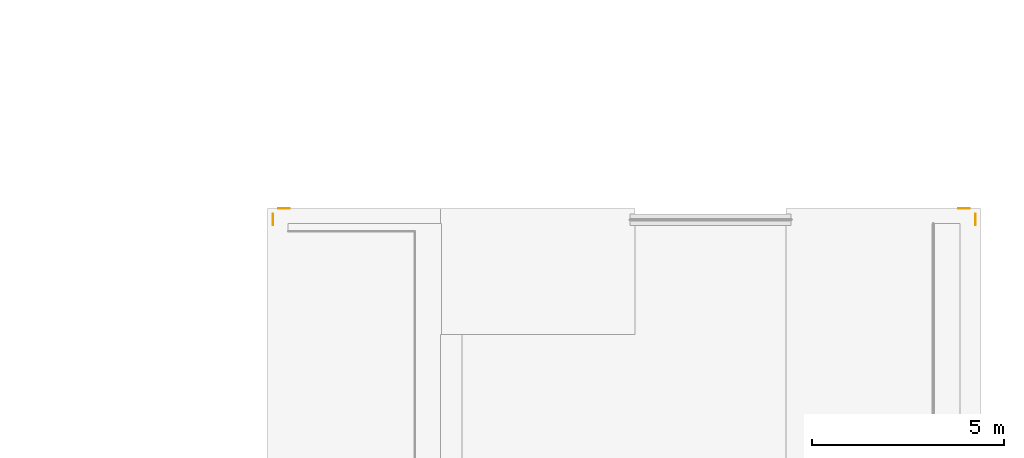
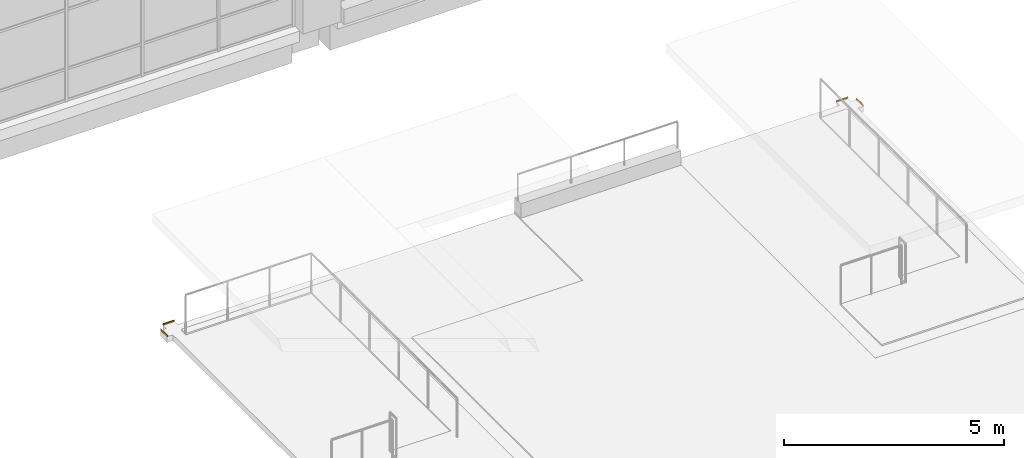
# One storey, part 52 of 53: 4 coverings.
"""IFC4 building model written with IfcOpenShell, lengths in metres."""

from ifc_helpers import new_model, si_unit, direction, frame, origin, place, context, subcontext, project, spatial, polyline, outline, extrude, material, layer, layer_set, type_object, element, save


model = new_model("IFC4")

# Units and contexts
model_context = context("Model", 3, precision=1e-05, world=origin(), true_north=direction((0.0, 1.0)))
body_context = subcontext(model_context, "Body", "Model", "MODEL_VIEW")
ifc_project = project(units=[si_unit("LENGTHUNIT", "METRE"), si_unit("AREAUNIT", "SQUARE_METRE"), si_unit("VOLUMEUNIT", "CUBIC_METRE"), si_unit("PLANEANGLEUNIT", "RADIAN"), si_unit("MASSUNIT", "GRAM", prefix="KILO")], contexts=[model_context])

# Site, building, storey
site_placement = place(None, origin())
site = spatial("IfcSite", under=ifc_project, at=site_placement, CompositionType="ELEMENT")
building_placement = place(site_placement, origin())
building = spatial("IfcBuilding", under=site, at=building_placement, Name="Aurelan Courthouse", CompositionType="ELEMENT")
storey_placement = place(building_placement, frame((0.0, 0.0, 12.0)))
storey = spatial("IfcBuildingStorey", under=building, at=storey_placement, Name="L02", CompositionType="ELEMENT", Elevation=12.0)

# Coverings
ifc_material = material(Name="Granite pavers", Category="masonry")
ifc_layer = layer(ifc_material, 0.0400390625)
ifc_layer_set = layer_set([ifc_layer], Name="Granite pavers")
covering_type = type_object("IfcCoveringType", Name="Roof garden pavers 40", PredefinedType="FLOORING", material=ifc_layer_set)
covering_1_placement = place(storey_placement, frame((0.0, 0.0, -0.0400390625)))
element("IfcCovering", 1, at=covering_1_placement, inside=storey, type_object=covering_type, Name="Roof garden paving RG-02", PredefinedType="FLOORING", context=body_context, shape_type="SweptSolid", body=[
    extrude(outline(polyline([(71.860107421875, 28.199951171875), (71.860107421875, 28.5), (71.85009765625, 28.5), (71.85009765625, 28.199951171875), (71.860107421875, 28.199951171875)])), origin(), (0.0, 0.0, 1.0), 0.0400390625),
])
covering_2_placement = place(storey_placement, frame((0.0, 0.0, -0.0400390625)))
element("IfcCovering", 2, at=covering_2_placement, inside=storey, type_object=covering_type, Name="Roof garden paving RG-03", PredefinedType="FLOORING", context=body_context, shape_type="SweptSolid", body=[
    extrude(outline(polyline([(90.139892578125, 28.5), (90.139892578125, 28.199951171875), (90.14990234375, 28.199951171875), (90.14990234375, 28.5), (90.139892578125, 28.5)])), origin(), (0.0, 0.0, 1.0), 0.0400390625),
])
covering_3_placement = place(storey_placement, frame((0.0, 0.0, -0.0400390625)))
element("IfcCovering", 3, at=covering_3_placement, inside=storey, type_object=covering_type, Name="Roof garden paving RG-04", PredefinedType="FLOORING", context=body_context, shape_type="SweptSolid", body=[
    extrude(outline(polyline([(72.0, 28.639892578125), (72.300048828125, 28.639892578125), (72.300048828125, 28.64990234375), (72.0, 28.64990234375), (72.0, 28.639892578125)])), origin(), (0.0, 0.0, 1.0), 0.0400390625),
])
covering_4_placement = place(storey_placement, frame((0.0, 0.0, -0.0400390625)))
element("IfcCovering", 4, at=covering_4_placement, inside=storey, type_object=covering_type, Name="Roof garden paving RG-05", PredefinedType="FLOORING", context=body_context, shape_type="SweptSolid", body=[
    extrude(outline(polyline([(89.699951171875, 28.639892578125), (90.0, 28.639892578125), (90.0, 28.64990234375), (89.699951171875, 28.64990234375), (89.699951171875, 28.639892578125)])), origin(), (0.0, 0.0, 1.0), 0.0400390625),
])

save(model, "model.ifc")
